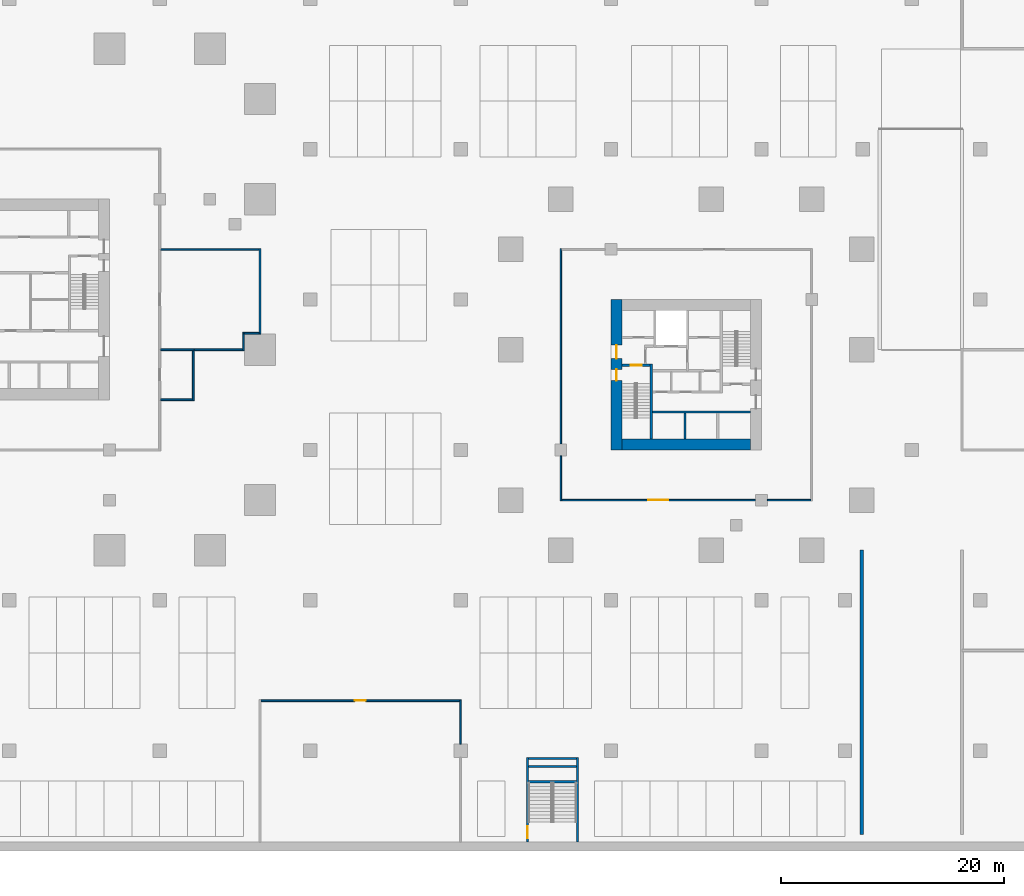
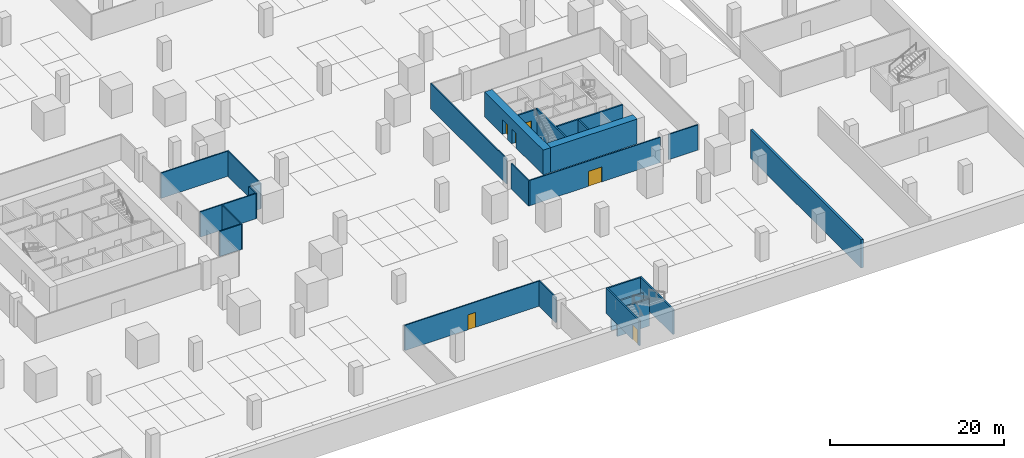
# One storey, part 7 of 31: 26 walls, 6 doors, 6 openings.
"""IFC4 building model written with IfcOpenShell, lengths in metres."""

from ifc_helpers import new_model, si_unit, direction, frame, frame_2d, origin, place, context, subcontext, project, spatial, rectangle, extrude, material, layer, layer_set, type_object, element, fill, save


model = new_model("IFC4")

# Units and contexts
model_context = context("Model", 3, precision=1e-05, world=origin(), true_north=direction((0.0, 1.0)))
body_context = subcontext(model_context, "Body", "Model", "MODEL_VIEW")
ifc_project = project(units=[si_unit("LENGTHUNIT", "METRE"), si_unit("AREAUNIT", "SQUARE_METRE"), si_unit("VOLUMEUNIT", "CUBIC_METRE"), si_unit("PLANEANGLEUNIT", "RADIAN"), si_unit("MASSUNIT", "GRAM", prefix="KILO")], contexts=[model_context])

# Site, building, storey
site_placement = place(None, origin())
site = spatial("IfcSite", under=ifc_project, at=site_placement, CompositionType="ELEMENT")
building_placement = place(site_placement, origin())
building = spatial("IfcBuilding", under=site, at=building_placement, Name="Altepetl Exchange Towers", CompositionType="ELEMENT")
storey_placement = place(building_placement, frame((0.0, 0.0, -4.0)))
storey = spatial("IfcBuildingStorey", under=building, at=storey_placement, Name="B1 Basement services", CompositionType="ELEMENT", Elevation=-4.0)

# Wall
ifc_material_1 = material(Name="Concrete C70/85", Category="concrete")
ifc_layer_1 = layer(ifc_material_1, 1.0)
ifc_layer_set_1 = layer_set([ifc_layer_1], Name="Concrete C70/85")
wall_type_1 = type_object("IfcWallType", Name="Core wall 1000 reinforced concrete", PredefinedType="SHEAR", material=ifc_layer_set_1)
wall_1_placement = place(storey_placement, frame((104.5, 36.5, 0.0)))
element("IfcWall", 1, at=wall_1_placement, inside=storey, type_object=wall_type_1, Name="wall:B:B1:K-coreS", PredefinedType="SHEAR", context=body_context, shape_type="SweptSolid", body=[
    extrude(rectangle(XDim=11.5, YDim=1.0, at=frame_2d((5.75, 0.0))), origin(), (0.0, 0.0, 1.0), 3.5),
])

# Wall, openings, doors
wall_2_placement = place(storey_placement, frame((104.0, 36.0, 0.0), z_axis=(0.0, 0.0, 1.0), x_axis=(0.0, 1.0, 0.0)))
wall_2 = element("IfcWall", 2, at=wall_2_placement, inside=storey, type_object=wall_type_1, Name="wall:B:B1:K-coreW", PredefinedType="SHEAR", context=body_context, shape_type="SweptSolid", body=[
    extrude(rectangle(XDim=13.5, YDim=1.0, at=frame_2d((6.75, 0.0))), origin(), (0.0, 0.0, 1.0), 3.5),
])
opening_1_placement = place(wall_2_placement, frame((8.199951171875, 0.0, 0.0)))
opening_1 = element("IfcOpeningElement", 3, at=opening_1_placement, cuts=wall_2, Name="Opening B1.B60", PredefinedType="OPENING", context=body_context, shape_type="SweptSolid", body=[
    extrude(rectangle(XDim=1.199951171875, YDim=2.10009765625, at=frame_2d((0.60009765625, 1.050048828125))), frame((0.0, 0.510009765625, 0.0), z_axis=(0.0, -1.0, 0.0), x_axis=(1.0, 0.0, 0.0)), (0.0, 0.0, 1.0), 1.02001953125),
])
opening_2_placement = place(wall_2_placement, frame((6.22509765625, 0.0, 0.0)))
opening_2 = element("IfcOpeningElement", 4, at=opening_2_placement, cuts=wall_2, Name="Opening B1.B63", PredefinedType="OPENING", context=body_context, shape_type="SweptSolid", body=[
    extrude(rectangle(XDim=1.0, YDim=2.10009765625, at=frame_2d((0.5, 1.050048828125))), frame((0.0, 0.510009765625, 0.0), z_axis=(0.0, -1.0, 0.0), x_axis=(1.0, 0.0, 0.0)), (0.0, 0.0, 1.0), 1.02001953125),
])
ifc_material_2 = material(Name="Steel and timber fire door", Category="steel")
door_type_1 = type_object("IfcDoorType", Name="Fire door 1000 x 2100 stair and lobby", OperationType="SINGLE_SWING_LEFT", PredefinedType="DOOR", material=ifc_material_2)
door_1_placement = place(opening_2_placement, frame((1.0, 0.0, 0.0), x_axis=(-1.0, 0.0, 0.0)))
door_1 = element("IfcDoor", 5, at=door_1_placement, inside=storey, type_object=door_type_1, Name="door:B:B1:K-dS1x", OperationType="SINGLE_SWING_RIGHT", OverallHeight=2.10009765625, OverallWidth=1.0, PredefinedType="DOOR", context=body_context, shape_type="SweptSolid", body=[
    extrude(rectangle(XDim=1.0, YDim=2.10009765625, at=frame_2d((0.5, 1.050048828125))), frame((0.0, 0.02490234375, 0.0), z_axis=(0.0, -1.0, 0.0), x_axis=(1.0, 0.0, 0.0)), (0.0, 0.0, 1.0), 0.050048828125),
])
fill(opening_2, door_1)
door_type_2 = type_object("IfcDoorType", Name="Fire door 1200 x 2100 lobby entry", OperationType="SINGLE_SWING_LEFT", PredefinedType="DOOR", material=ifc_material_2)
door_2_placement = place(opening_1_placement, frame((1.199951171875, 0.0, 0.0), x_axis=(-1.0, 0.0, 0.0)))
door_2 = element("IfcDoor", 6, at=door_2_placement, inside=storey, type_object=door_type_2, Name="door:B:B1:K-dLNW", OperationType="SINGLE_SWING_RIGHT", OverallHeight=2.10009765625, OverallWidth=1.199951171875, PredefinedType="DOOR", context=body_context, shape_type="SweptSolid", body=[
    extrude(rectangle(XDim=1.199951171875, YDim=2.10009765625, at=frame_2d((0.60009765625, 1.050048828125))), frame((0.0, 0.02490234375, 0.0), z_axis=(0.0, -1.0, 0.0), x_axis=(1.0, 0.0, 0.0)), (0.0, 0.0, 1.0), 0.050048828125),
])
fill(opening_1, door_2)

# Walls
ifc_material_3 = material(Name="Reinforced concrete C35/45", Category="concrete")
ifc_layer_2 = layer(ifc_material_3, 0.199951171875)
ifc_layer_set_2 = layer_set([ifc_layer_2], Name="Reinforced concrete C35/45")
wall_type_2 = type_object("IfcWallType", Name="Landing support wall 200", PredefinedType="SOLIDWALL", material=ifc_layer_set_2)
for number, where, name in (
    (7, (96.10009765625, 6.219970703125, -2.0), "wall:P:B1:ES2sup0"),
    (8, (96.10009765625, 7.60009765625, -2.0), "wall:P:B1:ES2sup1"),
):
    element("IfcWall", number, at=place(storey_placement, frame(where)), inside=storey, type_object=wall_type_2, Name=name, PredefinedType="SOLIDWALL", context=body_context, shape_type="SweptSolid", body=[
        extrude(rectangle(XDim=4.2998046875, YDim=0.199951171875, at=frame_2d((2.14990234375, 0.0))), origin(), (0.0, 0.0, 1.0), 3.800048828125),
    ])
ifc_material_4 = material(Name="Gypsum board on steel studs", Category="steel")
ifc_layer_3 = layer(ifc_material_4, 0.14990234375)
ifc_layer_set_3 = layer_set([ifc_layer_3], Name="Gypsum board on steel studs")
wall_type_3 = type_object("IfcWallType", Name="Podium partition 150", PredefinedType="PARTITIONING", material=ifc_layer_set_3)
wall_3_placement = place(storey_placement, frame((90.0, 9.594970703125, 0.0), z_axis=(0.0, 0.0, 1.0), x_axis=(0.0, 1.0, 0.0)))
element("IfcWall", 9, at=wall_3_placement, inside=storey, type_object=wall_type_3, Name="wall:P:B1:P013", PredefinedType="PARTITIONING", context=body_context, shape_type="SweptSolid", body=[
    extrude(rectangle(XDim=3.97998046875, YDim=0.14990234375, at=frame_2d((1.989990234375, 0.0))), origin(), (0.0, 0.0, 1.0), 3.550048828125),
])

# Wall, opening, door
wall_4_placement = place(storey_placement, frame((72.074951171875, 13.5, 0.0)))
wall_4 = element("IfcWall", 10, at=wall_4_placement, inside=storey, type_object=wall_type_3, Name="wall:P:B1:P014", PredefinedType="PARTITIONING", context=body_context, shape_type="SweptSolid", body=[
    extrude(rectangle(XDim=17.85009765625, YDim=0.14990234375, at=frame_2d((8.925048828125, 0.0))), origin(), (0.0, 0.0, 1.0), 3.550048828125),
])
opening_3_placement = place(wall_4_placement, frame((8.425048828125, 0.0, 0.0)))
opening_3 = element("IfcOpeningElement", 11, at=opening_3_placement, cuts=wall_4, Name="Opening B1.P005", PredefinedType="OPENING", context=body_context, shape_type="SweptSolid", body=[
    extrude(rectangle(XDim=1.0, YDim=2.10009765625, at=frame_2d((0.5, 1.050048828125))), frame((0.0, 0.0849609375, 0.0), z_axis=(0.0, -1.0, 0.0), x_axis=(1.0, 0.0, 0.0)), (0.0, 0.0, 1.0), 0.169921875),
])
door_type_3 = type_object("IfcDoorType", Name="Podium fire door 1000 x 2100 single leaf", OperationType="SINGLE_SWING_LEFT", PredefinedType="DOOR", material=ifc_material_2)
door_3_placement = place(opening_3_placement, frame((1.0, 0.0, 0.0), x_axis=(-1.0, 0.0, 0.0)))
door_3 = element("IfcDoor", 12, at=door_3_placement, inside=storey, type_object=door_type_3, Name="door:P:B1:005", OperationType="SINGLE_SWING_LEFT", OverallHeight=2.10009765625, OverallWidth=1.0, PredefinedType="DOOR", context=body_context, shape_type="SweptSolid", body=[
    extrude(rectangle(XDim=1.0, YDim=2.10009765625, at=frame_2d((0.5, 1.050048828125))), frame((0.0, 0.02490234375, 0.0), z_axis=(0.0, -1.0, 0.0), x_axis=(1.0, 0.0, 0.0)), (0.0, 0.0, 1.0), 0.050048828125),
])
fill(opening_3, door_3)

# Walls
wall_5_placement = place(storey_placement, frame((99.0, 31.425048828125, 0.0), z_axis=(0.0, 0.0, 1.0), x_axis=(0.0, 1.0, 0.0)))
element("IfcWall", 13, at=wall_5_placement, inside=storey, type_object=wall_type_3, Name="wall:P:B1:P042", PredefinedType="PARTITIONING", context=body_context, shape_type="SweptSolid", body=[
    extrude(rectangle(XDim=4.054931640625, YDim=0.14990234375, at=frame_2d((2.02734375, 0.0))), origin(), (0.0, 0.0, 1.0), 3.550048828125),
])
wall_6_placement = place(storey_placement, frame((99.0, 36.52001953125, 0.0), z_axis=(0.0, 0.0, 1.0), x_axis=(0.0, 1.0, 0.0)))
element("IfcWall", 14, at=wall_6_placement, inside=storey, type_object=wall_type_3, Name="wall:P:B1:P043", PredefinedType="PARTITIONING", context=body_context, shape_type="SweptSolid", body=[
    extrude(rectangle(XDim=17.554931640625, YDim=0.14990234375, at=frame_2d((8.77734375, 0.0))), origin(), (0.0, 0.0, 1.0), 3.550048828125),
])

# Wall, opening, door
wall_7_placement = place(storey_placement, frame((99.074951171875, 31.5, 0.0)))
wall_7 = element("IfcWall", 15, at=wall_7_placement, inside=storey, type_object=wall_type_3, Name="wall:P:B1:P046", PredefinedType="PARTITIONING", context=body_context, shape_type="SweptSolid", body=[
    extrude(rectangle(XDim=17.405029296875, YDim=0.14990234375, at=frame_2d((8.70263671875, 0.0))), origin(), (0.0, 0.0, 1.0), 3.550048828125),
])
opening_4_placement = place(wall_7_placement, frame((7.77490234375, 0.0, 0.0)))
opening_4 = element("IfcOpeningElement", 16, at=opening_4_placement, cuts=wall_7, Name="Opening B1.P023", PredefinedType="OPENING", context=body_context, shape_type="SweptSolid", body=[
    extrude(rectangle(XDim=1.800048828125, YDim=2.10009765625, at=frame_2d((0.89990234375, 1.050048828125))), frame((0.0, 0.0849609375, 0.0), z_axis=(0.0, -1.0, 0.0), x_axis=(1.0, 0.0, 0.0)), (0.0, 0.0, 1.0), 0.169921875),
])
ifc_material_5 = material(Name="Glazed aluminium and steel", Category="steel")
door_type_4 = type_object("IfcDoorType", Name="Podium fire door 1800 x 2100 double leaf", OperationType="DOUBLE_DOOR_SINGLE_SWING", PredefinedType="DOOR", material=ifc_material_5)
door_4_placement = place(opening_4_placement, origin())
door_4 = element("IfcDoor", 17, at=door_4_placement, inside=storey, type_object=door_type_4, Name="door:P:B1:023", OperationType="DOUBLE_DOOR_SINGLE_SWING", OverallHeight=2.10009765625, OverallWidth=1.800048828125, PredefinedType="DOOR", context=body_context, shape_type="SweptSolid", body=[
    extrude(rectangle(XDim=1.800048828125, YDim=2.10009765625, at=frame_2d((0.89990234375, 1.050048828125))), frame((0.0, 0.02490234375, 0.0), z_axis=(0.0, -1.0, 0.0), x_axis=(1.0, 0.0, 0.0)), (0.0, 0.0, 1.0), 0.050048828125),
])
fill(opening_4, door_4)

# Walls
wall_8_placement = place(storey_placement, frame((117.52001953125, 31.5, 0.0)))
element("IfcWall", 18, at=wall_8_placement, inside=storey, type_object=wall_type_3, Name="wall:P:B1:P047", PredefinedType="PARTITIONING", context=body_context, shape_type="SweptSolid", body=[
    extrude(rectangle(XDim=3.905029296875, YDim=0.14990234375, at=frame_2d((1.95263671875, 0.0))), origin(), (0.0, 0.0, 1.0), 3.550048828125),
])
wall_9_placement = place(storey_placement, frame((63.074951171875, 45.0, 0.0)))
element("IfcWall", 19, at=wall_9_placement, inside=storey, type_object=wall_type_3, Name="wall:P:B1:P050", PredefinedType="PARTITIONING", context=body_context, shape_type="SweptSolid", body=[
    extrude(rectangle(XDim=3.0, YDim=0.14990234375, at=frame_2d((1.5, 0.0))), origin(), (0.0, 0.0, 1.0), 3.550048828125),
])
wall_10_placement = place(storey_placement, frame((70.52490234375, 44.925048828125, 0.0), z_axis=(0.0, 0.0, 1.0), x_axis=(0.0, 1.0, 0.0)))
element("IfcWall", 20, at=wall_10_placement, inside=storey, type_object=wall_type_3, Name="wall:P:B1:P051", PredefinedType="PARTITIONING", context=body_context, shape_type="SweptSolid", body=[
    extrude(rectangle(XDim=1.625, YDim=0.14990234375, at=frame_2d((0.8125, 0.0))), origin(), (0.0, 0.0, 1.0), 3.550048828125),
])
wall_11_placement = place(storey_placement, frame((72.0, 46.39990234375, 0.0), z_axis=(0.0, 0.0, 1.0), x_axis=(0.0, 1.0, 0.0)))
element("IfcWall", 21, at=wall_11_placement, inside=storey, type_object=wall_type_3, Name="wall:P:B1:P052", PredefinedType="PARTITIONING", context=body_context, shape_type="SweptSolid", body=[
    extrude(rectangle(XDim=7.675048828125, YDim=0.14990234375, at=frame_2d((3.83740234375, 0.0))), origin(), (0.0, 0.0, 1.0), 3.550048828125),
])
wall_12_placement = place(storey_placement, frame((66.0, 45.0, 0.0)))
element("IfcWall", 22, at=wall_12_placement, inside=storey, type_object=wall_type_3, Name="wall:P:B1:P053", PredefinedType="PARTITIONING", context=body_context, shape_type="SweptSolid", body=[
    extrude(rectangle(XDim=4.449951171875, YDim=0.14990234375, at=frame_2d((2.22509765625, 0.0))), origin(), (0.0, 0.0, 1.0), 3.550048828125),
])
wall_13_placement = place(storey_placement, frame((70.60009765625, 46.47509765625, 0.0)))
element("IfcWall", 23, at=wall_13_placement, inside=storey, type_object=wall_type_3, Name="wall:P:B1:P054", PredefinedType="PARTITIONING", context=body_context, shape_type="SweptSolid", body=[
    extrude(rectangle(XDim=1.324951171875, YDim=0.14990234375, at=frame_2d((0.66259765625, 0.0))), origin(), (0.0, 0.0, 1.0), 3.550048828125),
])
wall_14_placement = place(storey_placement, frame((63.074951171875, 54.0, 0.0)))
element("IfcWall", 24, at=wall_14_placement, inside=storey, type_object=wall_type_3, Name="wall:P:B1:P055", PredefinedType="PARTITIONING", context=body_context, shape_type="SweptSolid", body=[
    extrude(rectangle(XDim=8.85009765625, YDim=0.14990234375, at=frame_2d((4.425048828125, 0.0))), origin(), (0.0, 0.0, 1.0), 3.550048828125),
])
wall_15_placement = place(storey_placement, frame((66.0, 40.425048828125, 0.0), z_axis=(0.0, 0.0, 1.0), x_axis=(0.0, 1.0, 0.0)))
element("IfcWall", 25, at=wall_15_placement, inside=storey, type_object=wall_type_3, Name="wall:P:B1:P056", PredefinedType="PARTITIONING", context=body_context, shape_type="SweptSolid", body=[
    extrude(rectangle(XDim=4.5, YDim=0.14990234375, at=frame_2d((2.25, 0.0))), origin(), (0.0, 0.0, 1.0), 3.550048828125),
])
wall_16_placement = place(storey_placement, frame((63.074951171875, 40.5, 0.0)))
element("IfcWall", 26, at=wall_16_placement, inside=storey, type_object=wall_type_3, Name="wall:P:B1:P057", PredefinedType="PARTITIONING", context=body_context, shape_type="SweptSolid", body=[
    extrude(rectangle(XDim=2.85009765625, YDim=0.14990234375, at=frame_2d((1.425048828125, 0.0))), origin(), (0.0, 0.0, 1.0), 3.550048828125),
])
ifc_layer_4 = layer(ifc_material_3, 0.300048828125)
ifc_layer_set_4 = layer_set([ifc_layer_4], Name="Reinforced concrete C35/45")
wall_type_4 = type_object("IfcWallType", Name="Ramp retaining wall 300", PredefinedType="SOLIDWALL", material=ifc_layer_set_4)
wall_17_placement = place(storey_placement, frame((126.0, 1.5, 0.0), z_axis=(0.0, 0.0, 1.0), x_axis=(0.0, 1.0, 0.0)))
element("IfcWall", 27, at=wall_17_placement, inside=storey, type_object=wall_type_4, Name="wall:P:B1:rampR1W", PredefinedType="SOLIDWALL", context=body_context, shape_type="SweptSolid", body=[
    extrude(rectangle(XDim=25.5, YDim=0.300048828125, at=frame_2d((12.75, 0.0))), origin(), (0.0, 0.0, 1.0), 4.0),
])
ifc_material_6 = material(Name="Concrete C40/50", Category="concrete")
ifc_layer_5 = layer(ifc_material_6, 0.199951171875)
ifc_layer_set_5 = layer_set([ifc_layer_5], Name="Concrete C40/50")
wall_type_5 = type_object("IfcWallType", Name="Shaft wall 200 reinforced concrete", PredefinedType="SHEAR", material=ifc_layer_set_5)
wall_18_placement = place(storey_placement, frame((110.13330078125, 37.0, 0.0), z_axis=(0.0, 0.0, 1.0), x_axis=(0.0, 1.0, 0.0)))
element("IfcWall", 28, at=wall_18_placement, inside=storey, type_object=wall_type_5, Name="wall:B:B1:K-divS1", PredefinedType="SHEAR", context=body_context, shape_type="SweptSolid", body=[
    extrude(rectangle(XDim=2.300048828125, YDim=0.199951171875, at=frame_2d((1.14990234375, 0.0))), origin(), (0.0, 0.0, 1.0), 3.5),
])
wall_19_placement = place(storey_placement, frame((107.199951171875, 39.39990234375, 0.0)))
element("IfcWall", 29, at=wall_19_placement, inside=storey, type_object=wall_type_5, Name="wall:B:B1:K-frontS", PredefinedType="SHEAR", context=body_context, shape_type="SweptSolid", body=[
    extrude(rectangle(XDim=8.800048828125, YDim=0.199951171875, at=frame_2d((4.39990234375, 0.0))), origin(), (0.0, 0.0, 1.0), 3.5),
])

# Wall, opening, door
ifc_layer_6 = layer(ifc_material_3, 0.199951171875)
ifc_layer_set_6 = layer_set([ifc_layer_6], Name="Reinforced concrete C35/45")
wall_type_6 = type_object("IfcWallType", Name="Stair enclosure wall 200", PredefinedType="SOLIDWALL", material=ifc_layer_set_6)
wall_20_placement = place(storey_placement, frame((96.0, 0.800048828125, 0.0), z_axis=(0.0, 0.0, 1.0), x_axis=(0.0, 1.0, 0.0)))
wall_20 = element("IfcWall", 30, at=wall_20_placement, inside=storey, type_object=wall_type_6, Name="wall:P:B1:P061", PredefinedType="SOLIDWALL", context=body_context, shape_type="SweptSolid", body=[
    extrude(rectangle(XDim=7.599853515625, YDim=0.199951171875, at=frame_2d((3.7998046875, 0.0))), origin(), (0.0, 0.0, 1.0), 3.550048828125),
])
opening_5_placement = place(wall_20_placement, frame((0.35009765625, 0.0, 0.0)))
opening_5 = element("IfcOpeningElement", 31, at=opening_5_placement, cuts=wall_20, Name="Opening B1.P014", PredefinedType="OPENING", context=body_context, shape_type="SweptSolid", body=[
    extrude(rectangle(XDim=1.10009765625, YDim=2.10009765625, at=frame_2d((0.550048828125, 1.050048828125))), frame((0.0, 0.10986328125, 0.0), z_axis=(0.0, -1.0, 0.0), x_axis=(1.0, 0.0, 0.0)), (0.0, 0.0, 1.0), 0.219970703125),
])
ifc_material_7 = material(Name="Steel fire door", Category="steel")
door_type_5 = type_object("IfcDoorType", Name="Podium fire door 1100 x 2100 single leaf", OperationType="SINGLE_SWING_LEFT", PredefinedType="DOOR", material=ifc_material_7)
door_5_placement = place(opening_5_placement, frame((1.10009765625, 0.0, 0.0), x_axis=(-1.0, 0.0, 0.0)))
door_5 = element("IfcDoor", 32, at=door_5_placement, inside=storey, type_object=door_type_5, Name="door:P:B1:014", OperationType="SINGLE_SWING_LEFT", OverallHeight=2.10009765625, OverallWidth=1.10009765625, PredefinedType="DOOR", context=body_context, shape_type="SweptSolid", body=[
    extrude(rectangle(XDim=1.10009765625, YDim=2.10009765625, at=frame_2d((0.550048828125, 1.050048828125))), frame((0.0, 0.02490234375, 0.0), z_axis=(0.0, -1.0, 0.0), x_axis=(1.0, 0.0, 0.0)), (0.0, 0.0, 1.0), 0.050048828125),
])
fill(opening_5, door_5)

# Walls
wall_21_placement = place(storey_placement, frame((100.5, 0.800048828125, 0.0), z_axis=(0.0, 0.0, 1.0), x_axis=(0.0, 1.0, 0.0)))
element("IfcWall", 33, at=wall_21_placement, inside=storey, type_object=wall_type_6, Name="wall:P:B1:P062", PredefinedType="SOLIDWALL", context=body_context, shape_type="SweptSolid", body=[
    extrude(rectangle(XDim=7.599853515625, YDim=0.199951171875, at=frame_2d((3.7998046875, 0.0))), origin(), (0.0, 0.0, 1.0), 3.550048828125),
])
wall_22_placement = place(storey_placement, frame((96.10009765625, 8.300048828125, 0.0)))
element("IfcWall", 34, at=wall_22_placement, inside=storey, type_object=wall_type_6, Name="wall:P:B1:P063", PredefinedType="SOLIDWALL", context=body_context, shape_type="SweptSolid", body=[
    extrude(rectangle(XDim=4.2998046875, YDim=0.199951171875, at=frame_2d((2.14990234375, 0.0))), origin(), (0.0, 0.0, 1.0), 3.550048828125),
])
ifc_layer_7 = layer(ifc_material_6, 0.199951171875)
ifc_layer_set_7 = layer_set([ifc_layer_7], Name="Concrete C40/50")
wall_type_7 = type_object("IfcWallType", Name="Stair wall 200 reinforced concrete", PredefinedType="SHEAR", material=ifc_layer_set_7)
wall_23_placement = place(storey_placement, frame((107.10009765625, 37.0, 0.0), z_axis=(0.0, 0.0, 1.0), x_axis=(0.0, 1.0, 0.0)))
element("IfcWall", 35, at=wall_23_placement, inside=storey, type_object=wall_type_7, Name="wall:B:B1:K-stS1E", PredefinedType="SHEAR", context=body_context, shape_type="SweptSolid", body=[
    extrude(rectangle(XDim=6.699951171875, YDim=0.199951171875, at=frame_2d((3.35009765625, 0.0))), origin(), (0.0, 0.0, 1.0), 3.5),
])

# Wall, opening, door
wall_24_placement = place(storey_placement, frame((104.5, 43.60009765625, 0.0)))
wall_24 = element("IfcWall", 36, at=wall_24_placement, inside=storey, type_object=wall_type_7, Name="wall:B:B1:K-stS1N", PredefinedType="SHEAR", context=body_context, shape_type="SweptSolid", body=[
    extrude(rectangle(XDim=2.5, YDim=0.199951171875, at=frame_2d((1.25, 0.0))), origin(), (0.0, 0.0, 1.0), 3.5),
])
opening_6_placement = place(wall_24_placement, frame((0.75, 0.0, 0.0)))
opening_6 = element("IfcOpeningElement", 37, at=opening_6_placement, cuts=wall_24, Name="Opening B1.B62", PredefinedType="OPENING", context=body_context, shape_type="SweptSolid", body=[
    extrude(rectangle(XDim=1.0, YDim=2.10009765625, at=frame_2d((0.5, 1.050048828125))), frame((0.0, 0.10986328125, 0.0), z_axis=(0.0, -1.0, 0.0), x_axis=(1.0, 0.0, 0.0)), (0.0, 0.0, 1.0), 0.219970703125),
])
door_6_placement = place(opening_6_placement, frame((1.0, 0.0, 0.0), x_axis=(-1.0, 0.0, 0.0)))
door_6 = element("IfcDoor", 38, at=door_6_placement, inside=storey, type_object=door_type_1, Name="door:B:B1:K-dS1in", OperationType="SINGLE_SWING_LEFT", OverallHeight=2.10009765625, OverallWidth=1.0, PredefinedType="DOOR", context=body_context, shape_type="SweptSolid", body=[
    extrude(rectangle(XDim=1.0, YDim=2.10009765625, at=frame_2d((0.5, 1.050048828125))), frame((0.0, 0.02490234375, 0.0), z_axis=(0.0, -1.0, 0.0), x_axis=(1.0, 0.0, 0.0)), (0.0, 0.0, 1.0), 0.050048828125),
])
fill(opening_6, door_6)

save(model, "model.ifc")
